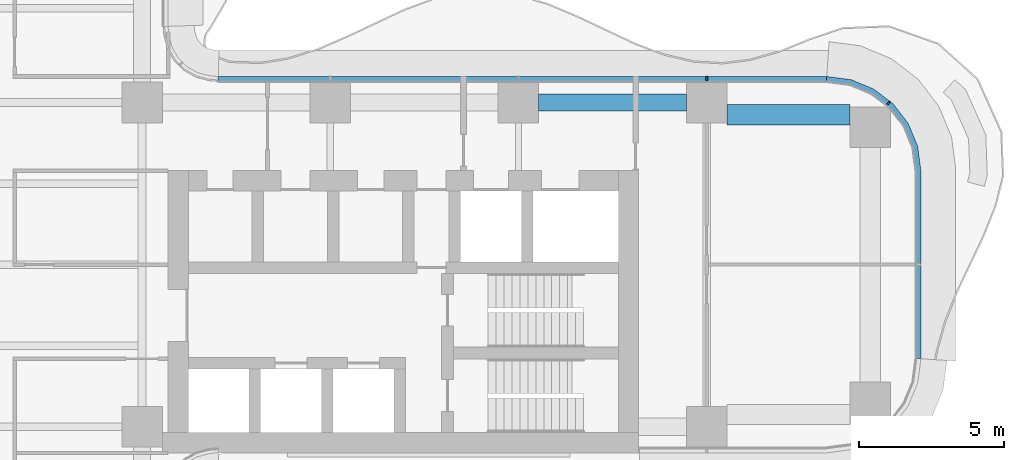
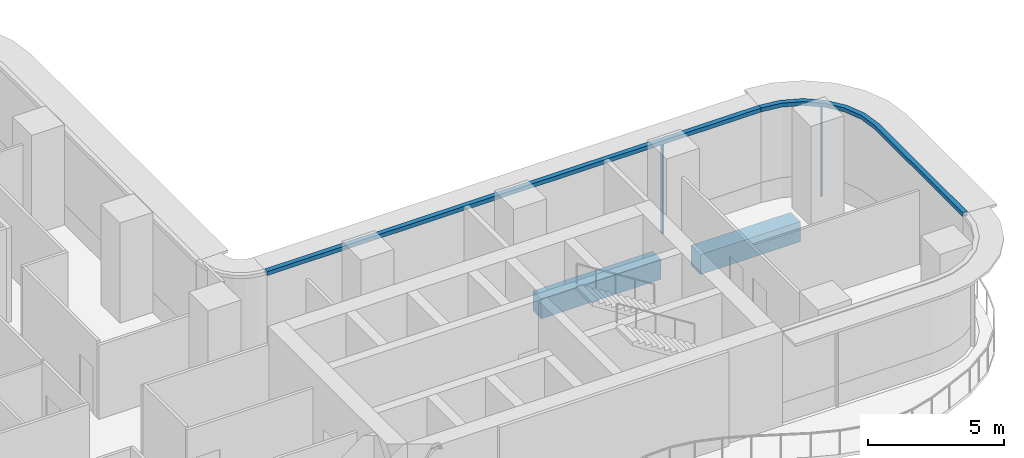
# One storey, part 11 of 22: 4 members, 2 beams, 2 elements without a shape of their own.
"""IFC4 building model written with IfcOpenShell, lengths in metres."""

from ifc_helpers import new_model, si_unit, direction, frame, origin, origin_2d, place, context, subcontext, project, spatial, polyline, rectangle, outline, extrude, source, transform, mapped, material, layer, layer_set, material_profile, profile_set, type_object, element, aggregate, save


model = new_model("IFC4")

# Units and contexts
model_context = context("Model", 3, precision=1e-05, world=origin(), true_north=direction((0.0, 1.0)))
body_context = subcontext(model_context, "Body", "Model", "MODEL_VIEW")
ifc_project = project(units=[si_unit("LENGTHUNIT", "METRE"), si_unit("AREAUNIT", "SQUARE_METRE"), si_unit("VOLUMEUNIT", "CUBIC_METRE"), si_unit("PLANEANGLEUNIT", "RADIAN"), si_unit("MASSUNIT", "GRAM", prefix="KILO")], contexts=[model_context])

# Site, building, storey
site_placement = place(None, origin())
site = spatial("IfcSite", under=ifc_project, at=site_placement, CompositionType="ELEMENT")
building_placement = place(site_placement, origin())
building = spatial("IfcBuilding", under=site, at=building_placement, Name="Trellis Farm Tower", CompositionType="ELEMENT")
storey_placement = place(building_placement, frame((0.0, 0.0, 70.0)))
storey = spatial("IfcBuildingStorey", under=building, at=storey_placement, Name="L14", CompositionType="ELEMENT", Elevation=70.0)

# Beams
ifc_material_1 = material(Name="Concrete C60/75", Category="concrete")
ifc_material_profile_1 = material_profile(ifc_material_1, rectangle(XDim=0.60009765625, YDim=0.89990234375, at=origin_2d()), Name="RC spandrel beam 600x900 C60/75")
ifc_profile_set_1 = profile_set([ifc_material_profile_1], Name="Concrete C60/75")
beam_type_1 = type_object("IfcBeamType", Name="RC spandrel beam 600x900 C60/75", PredefinedType="SPANDREL", material=ifc_profile_set_1)
shared_shape_1 = source(origin(), body_context, "Body", "SweptSolid", [
    extrude(rectangle(XDim=0.60009765625, YDim=0.89990234375, at=origin_2d()), origin(), (0.0, 0.0, 1.0), 5.099853515625),
])
beam_1_placement = place(storey_placement, frame((19.300048828125, 5.60009765625, -0.699951171875), z_axis=(1.0, 0.0, 0.0), x_axis=(0.0, 1.0, 0.0)))
element("IfcBeam", 1, at=beam_1_placement, inside=storey, type_object=beam_type_1, Name="Girder", PredefinedType="SPANDREL", context=body_context, shape_type="MappedRepresentation", body=[
    mapped(shared_shape_1, transform((0.0, 0.0, 0.0))),
])
ifc_material_profile_2 = material_profile(ifc_material_1, rectangle(XDim=0.699951171875, YDim=0.89990234375, at=origin_2d()), Name="RC spandrel beam 700x900 C60/75")
ifc_profile_set_2 = profile_set([ifc_material_profile_2], Name="Concrete C60/75")
beam_type_2 = type_object("IfcBeamType", Name="RC spandrel beam 700x900 C60/75", PredefinedType="SPANDREL", material=ifc_profile_set_2)
shared_shape_2 = source(origin(), body_context, "Body", "SweptSolid", [
    extrude(rectangle(XDim=0.699951171875, YDim=0.89990234375, at=origin_2d()), origin(), (0.0, 0.0, 1.0), 4.25),
])
beam_2_placement = place(storey_placement, frame((25.800048828125, 5.175048828125, -0.699951171875), z_axis=(1.0, 0.0, 0.0), x_axis=(0.0, 1.0, 0.0)))
element("IfcBeam", 2, at=beam_2_placement, inside=storey, type_object=beam_type_2, Name="Girder", PredefinedType="SPANDREL", context=body_context, shape_type="MappedRepresentation", body=[
    mapped(shared_shape_2, transform((0.0, 0.0, 0.0))),
])

# Curtain wall, member
ifc_material_2 = material(Name="Aluminium and glass curtain wall", Category="aluminium")
ifc_layer_1 = layer(ifc_material_2, 0.18994140625)
ifc_layer_set_1 = layer_set([ifc_layer_1], Name="RIBBON CURTAIN WALL CW1")
curtain_wall_type = type_object("IfcCurtainWallType", Name="RIBBON CURTAIN WALL CW1", PredefinedType="NOTDEFINED", material=ifc_layer_set_1)
placement_1 = place(storey_placement, origin())
curtain_wall_1 = element("IfcCurtainWall", 3, at=placement_1, inside=storey, type_object=curtain_wall_type, Name="CW1 007", PredefinedType="NOTDEFINED")
ifc_material_3 = material(Name="Aluminium extrusion 6063-T6", Category="aluminium")
ifc_material_profile_3 = material_profile(ifc_material_3, rectangle(XDim=0.06005859375, YDim=0.14990234375, at=origin_2d()), Name="MULLION 60x150")
ifc_profile_set_3 = profile_set([ifc_material_profile_3], Name="Aluminium extrusion 6063-T6")
member_type_1 = type_object("IfcMemberType", Name="CW1 MULLION 60x150", PredefinedType="MULLION", material=ifc_profile_set_3)
shared_shape_3 = source(origin(), body_context, "Body", "SweptSolid", [
    extrude(rectangle(XDim=0.06005859375, YDim=0.14990234375, at=origin_2d()), origin(), (0.0, 0.0, 1.0), 4.070068359375),
])
member_1_placement = place(storey_placement, frame((31.385498046875, 5.578369140625, 0.0), z_axis=(0.0, 0.0, 1.0), x_axis=(-0.793353340291, 0.608761429009, 0.0)))
member_1 = element("IfcMember", 4, at=member_1_placement, type_object=member_type_1, Name="MU1 007-02", PredefinedType="MULLION", context=body_context, shape_type="MappedRepresentation", body=[
    mapped(shared_shape_3, transform((0.0, 0.0, 0.0))),
])

# Curtain wall, members
curtain_wall_2 = element("IfcCurtainWall", 5, at=placement_1, inside=storey, type_object=curtain_wall_type, Name="CW1 008", PredefinedType="NOTDEFINED")
member_2_placement = place(storey_placement, frame((25.10009765625, 6.425048828125, 0.0), z_axis=(0.0, 0.0, 1.0), x_axis=(-1.0, 0.0, 0.0)))
member_2 = element("IfcMember", 6, at=member_2_placement, type_object=member_type_1, Name="MU1 008-01", PredefinedType="MULLION", context=body_context, shape_type="MappedRepresentation", body=[
    mapped(shared_shape_3, transform((0.0, 0.0, 0.0))),
])
ifc_layer_2 = layer(ifc_material_3, 0.199951171875)
ifc_layer_set_2 = layer_set([ifc_layer_2], Name="Aluminium extrusion 6063-T6")
member_type_2 = type_object("IfcMemberType", Name="CW1 TRANSOM 200x180", PredefinedType="USERDEFINED", material=ifc_layer_set_2)
shared_shape_4 = source(origin(), body_context, "Body", "SweptSolid", [
    extrude(outline(polyline([(29.25, 6.5), (8.2314453125, 6.5), (8.224853515625, 6.300048828125), (29.23681640625, 6.300048828125), (29.25, 6.5)])), origin(), (0.0, 0.0, 1.0), 0.179931640625),
])
placement_2 = place(storey_placement, frame((0.0, 0.0, 4.070068359375)))
member_3 = element("IfcMember", 7, at=placement_2, type_object=member_type_2, Name="TR1 008", ObjectType="TRANSOM", PredefinedType="USERDEFINED", context=body_context, shape_type="MappedRepresentation", body=[
    mapped(shared_shape_4, transform((0.0, 0.0, 0.0))),
])
aggregate(curtain_wall_2, [member_2, member_3])

# Member
shared_shape_5 = source(origin(), body_context, "Body", "SweptSolid", [
    extrude(outline(polyline([(32.5, -3.25), (32.5, 3.25), (32.38916015625, 4.091064453125), (32.064697265625, 4.875), (31.548095703125, 5.548095703125), (30.875, 6.064697265625), (30.091064453125, 6.38916015625), (29.25, 6.5), (29.23681640625, 6.300048828125), (30.0390625, 6.1943359375), (30.774169921875, 5.889892578125), (31.405517578125, 5.405517578125), (31.889892578125, 4.774169921875), (32.1943359375, 4.0390625), (32.300048828125, 3.23681640625), (32.300048828125, -3.23681640625), (32.5, -3.25)])), origin(), (0.0, 0.0, 1.0), 0.179931640625),
])
member_4 = element("IfcMember", 8, at=placement_2, type_object=member_type_2, Name="TR1 007", ObjectType="TRANSOM", PredefinedType="USERDEFINED", context=body_context, shape_type="MappedRepresentation", body=[
    mapped(shared_shape_5, transform((0.0, 0.0, 0.0))),
])

aggregate(curtain_wall_1, [member_1, member_4])

save(model, "model.ifc")
